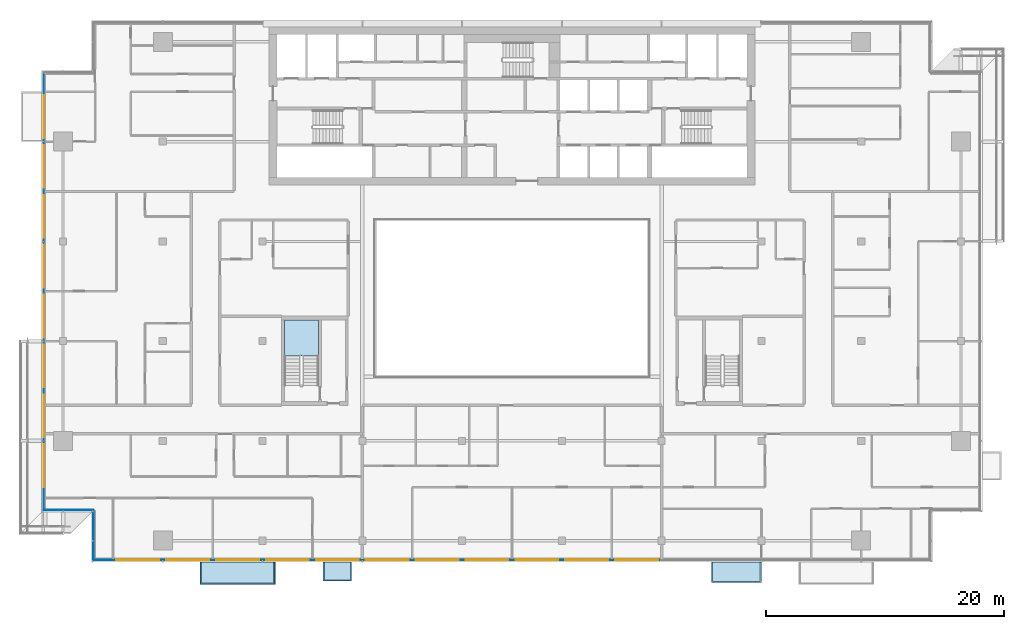
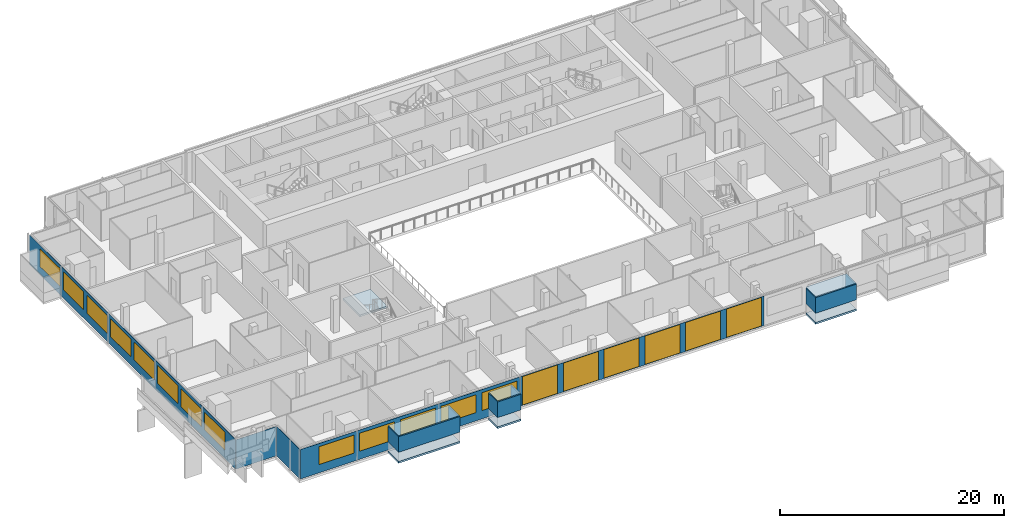
# One storey, part 15 of 30: 19 windows, 11 plates, 4 slabs, 19 openings, 5 elements without a shape of their own.
"""IFC4 building model written with IfcOpenShell, lengths in metres."""

from ifc_helpers import new_model, si_unit, direction, frame, frame_2d, origin, place, context, subcontext, project, spatial, polyline, rectangle, outline, extrude, material, layer, layer_set, type_object, element, fill, aggregate, save


model = new_model("IFC4")

# Units and contexts
model_context = context("Model", 3, precision=1e-05, world=origin(), true_north=direction((0.0, 1.0)))
body_context = subcontext(model_context, "Body", "Model", "MODEL_VIEW")
ifc_project = project(units=[si_unit("LENGTHUNIT", "METRE"), si_unit("AREAUNIT", "SQUARE_METRE"), si_unit("VOLUMEUNIT", "CUBIC_METRE"), si_unit("PLANEANGLEUNIT", "RADIAN"), si_unit("MASSUNIT", "GRAM", prefix="KILO")], contexts=[model_context])

# Site, building, storey
site_placement = place(None, origin())
site = spatial("IfcSite", under=ifc_project, at=site_placement, CompositionType="ELEMENT")
building_placement = place(site_placement, origin())
building = spatial("IfcBuilding", under=site, at=building_placement, Name="Saffron Gate Tower", CompositionType="ELEMENT")
storey_placement = place(building_placement, frame((0.0, 0.0, 223.5)))
storey = spatial("IfcBuildingStorey", under=building, at=storey_placement, Name="L54", CompositionType="ELEMENT", Elevation=223.5)

# Curtain wall, plates, openings, windows
ifc_material_1 = material(Name="Aluminium, bronze anodised", Category="aluminium")
curtain_wall_type_1 = type_object("IfcCurtainWallType", Name="CWS1 curtain wall front facade", PredefinedType="NOTDEFINED", material=ifc_material_1)
curtain_wall_1_placement = place(storey_placement, origin())
curtain_wall_1 = element("IfcCurtainWall", 1, at=curtain_wall_1_placement, inside=storey, type_object=curtain_wall_type_1, Name="CWS1 run 1", PredefinedType="NOTDEFINED")
ifc_material_2 = material(Name="Clear low-iron laminated glass", Category="glass")
ifc_layer_1 = layer(ifc_material_2, 0.028076171875)
ifc_layer_set_1 = layer_set([ifc_layer_1], Name="CWS1 clear glass")
plate_type_1 = type_object("IfcPlateType", Name="CWS1 clear glass", PredefinedType="CURTAIN_PANEL", material=ifc_layer_set_1)
plate_1_placement = place(storey_placement, frame((75.030029296875, 30.174072265625, 0.0), z_axis=(0.0, 0.0, 1.0), x_axis=(1.0, 0.0, 0.0)))
plate_1 = element("IfcPlate", 2, at=plate_1_placement, type_object=plate_type_1, Name="CWS1 clear glass panel", PredefinedType="CURTAIN_PANEL", context=body_context, shape_type="SweptSolid", body=[
    extrude(rectangle(XDim=25.139892578125, YDim=0.028076171875, at=frame_2d((12.56982421875, 0.0))), origin(), (0.0, 0.0, 1.0), 3.199951171875),
])
opening_1_placement = place(plate_1_placement, frame((0.27001953125, 0.0, 0.050048828125)))
opening_1 = element("IfcOpeningElement", 3, at=opening_1_placement, cuts=plate_1, Name="Opening WA", PredefinedType="OPENING", context=body_context, shape_type="SweptSolid", body=[
    extrude(rectangle(XDim=3.60009765625, YDim=3.10009765625, at=frame_2d((1.800048828125, 1.550048828125))), frame((0.0, 0.02392578125, 0.0), z_axis=(0.0, -1.0, 0.0), x_axis=(1.0, 0.0, 0.0)), (0.0, 0.0, 1.0), 0.048095703125),
])
opening_2_placement = place(plate_1_placement, frame((4.469970703125, 0.0, 0.050048828125)))
opening_2 = element("IfcOpeningElement", 4, at=opening_2_placement, cuts=plate_1, Name="Opening WA", PredefinedType="OPENING", context=body_context, shape_type="SweptSolid", body=[
    extrude(rectangle(XDim=3.60009765625, YDim=3.10009765625, at=frame_2d((1.800048828125, 1.550048828125))), frame((0.0, 0.02392578125, 0.0), z_axis=(0.0, -1.0, 0.0), x_axis=(1.0, 0.0, 0.0)), (0.0, 0.0, 1.0), 0.048095703125),
])
opening_3_placement = place(plate_1_placement, frame((8.669921875, 0.0, 0.050048828125)))
opening_3 = element("IfcOpeningElement", 5, at=opening_3_placement, cuts=plate_1, Name="Opening WA", PredefinedType="OPENING", context=body_context, shape_type="SweptSolid", body=[
    extrude(rectangle(XDim=3.60009765625, YDim=3.10009765625, at=frame_2d((1.800048828125, 1.550048828125))), frame((0.0, 0.02392578125, 0.0), z_axis=(0.0, -1.0, 0.0), x_axis=(1.0, 0.0, 0.0)), (0.0, 0.0, 1.0), 0.048095703125),
])
opening_4_placement = place(plate_1_placement, frame((12.8701171875, 0.0, 0.050048828125)))
opening_4 = element("IfcOpeningElement", 6, at=opening_4_placement, cuts=plate_1, Name="Opening WA", PredefinedType="OPENING", context=body_context, shape_type="SweptSolid", body=[
    extrude(rectangle(XDim=3.60009765625, YDim=3.10009765625, at=frame_2d((1.800048828125, 1.550048828125))), frame((0.0, 0.02392578125, 0.0), z_axis=(0.0, -1.0, 0.0), x_axis=(1.0, 0.0, 0.0)), (0.0, 0.0, 1.0), 0.048095703125),
])
opening_5_placement = place(plate_1_placement, frame((17.070068359375, 0.0, 0.050048828125)))
opening_5 = element("IfcOpeningElement", 7, at=opening_5_placement, cuts=plate_1, Name="Opening WA", PredefinedType="OPENING", context=body_context, shape_type="SweptSolid", body=[
    extrude(rectangle(XDim=3.60009765625, YDim=3.10009765625, at=frame_2d((1.800048828125, 1.550048828125))), frame((0.0, 0.02392578125, 0.0), z_axis=(0.0, -1.0, 0.0), x_axis=(1.0, 0.0, 0.0)), (0.0, 0.0, 1.0), 0.048095703125),
])
opening_6_placement = place(plate_1_placement, frame((21.27001953125, 0.0, 0.050048828125)))
opening_6 = element("IfcOpeningElement", 8, at=opening_6_placement, cuts=plate_1, Name="Opening WA", PredefinedType="OPENING", context=body_context, shape_type="SweptSolid", body=[
    extrude(rectangle(XDim=3.60009765625, YDim=3.10009765625, at=frame_2d((1.800048828125, 1.550048828125))), frame((0.0, 0.02392578125, 0.0), z_axis=(0.0, -1.0, 0.0), x_axis=(1.0, 0.0, 0.0)), (0.0, 0.0, 1.0), 0.048095703125),
])
ifc_material_3 = material(Name="Clear low-iron laminated glass in bronze frame", Category="glass")
ifc_layer_2 = layer(ifc_material_3, 0.06005859375)
ifc_layer_set_2 = layer_set([ifc_layer_2], Name="WA operable atrium unit 3600x3100")
window_type_1 = type_object("IfcWindowType", Name="WA operable atrium unit 3600x3100", PartitioningType="DOUBLE_PANEL_HORIZONTAL", PredefinedType="WINDOW", material=ifc_layer_set_2)
window_1_placement = place(opening_1_placement, origin())
window_1 = element("IfcWindow", 9, at=window_1_placement, type_object=window_type_1, Name="WA operable atrium unit", OverallHeight=3.10009765625, OverallWidth=3.60009765625, PartitioningType="SINGLE_PANEL", PredefinedType="WINDOW", context=body_context, shape_type="SweptSolid", body=[
    extrude(rectangle(XDim=3.60009765625, YDim=3.10009765625, at=frame_2d((1.800048828125, 1.550048828125))), frame((0.0, 0.013671875, 0.0), z_axis=(0.0, -1.0, 0.0), x_axis=(1.0, 0.0, 0.0)), (0.0, 0.0, 1.0), 0.027587890625),
])
fill(opening_1, window_1)
window_2_placement = place(opening_2_placement, origin())
window_2 = element("IfcWindow", 10, at=window_2_placement, type_object=window_type_1, Name="WA operable atrium unit", OverallHeight=3.10009765625, OverallWidth=3.60009765625, PartitioningType="SINGLE_PANEL", PredefinedType="WINDOW", context=body_context, shape_type="SweptSolid", body=[
    extrude(rectangle(XDim=3.60009765625, YDim=3.10009765625, at=frame_2d((1.800048828125, 1.550048828125))), frame((0.0, 0.013671875, 0.0), z_axis=(0.0, -1.0, 0.0), x_axis=(1.0, 0.0, 0.0)), (0.0, 0.0, 1.0), 0.027587890625),
])
fill(opening_2, window_2)
window_3_placement = place(opening_3_placement, origin())
window_3 = element("IfcWindow", 11, at=window_3_placement, type_object=window_type_1, Name="WA operable atrium unit", OverallHeight=3.10009765625, OverallWidth=3.60009765625, PartitioningType="SINGLE_PANEL", PredefinedType="WINDOW", context=body_context, shape_type="SweptSolid", body=[
    extrude(rectangle(XDim=3.60009765625, YDim=3.10009765625, at=frame_2d((1.800048828125, 1.550048828125))), frame((0.0, 0.013671875, 0.0), z_axis=(0.0, -1.0, 0.0), x_axis=(1.0, 0.0, 0.0)), (0.0, 0.0, 1.0), 0.027587890625),
])
fill(opening_3, window_3)
window_4_placement = place(opening_4_placement, origin())
window_4 = element("IfcWindow", 12, at=window_4_placement, type_object=window_type_1, Name="WA operable atrium unit", OverallHeight=3.10009765625, OverallWidth=3.60009765625, PartitioningType="SINGLE_PANEL", PredefinedType="WINDOW", context=body_context, shape_type="SweptSolid", body=[
    extrude(rectangle(XDim=3.60009765625, YDim=3.10009765625, at=frame_2d((1.800048828125, 1.550048828125))), frame((0.0, 0.013671875, 0.0), z_axis=(0.0, -1.0, 0.0), x_axis=(1.0, 0.0, 0.0)), (0.0, 0.0, 1.0), 0.027587890625),
])
fill(opening_4, window_4)
window_5_placement = place(opening_5_placement, origin())
window_5 = element("IfcWindow", 13, at=window_5_placement, type_object=window_type_1, Name="WA operable atrium unit", OverallHeight=3.10009765625, OverallWidth=3.60009765625, PartitioningType="SINGLE_PANEL", PredefinedType="WINDOW", context=body_context, shape_type="SweptSolid", body=[
    extrude(rectangle(XDim=3.60009765625, YDim=3.10009765625, at=frame_2d((1.800048828125, 1.550048828125))), frame((0.0, 0.013671875, 0.0), z_axis=(0.0, -1.0, 0.0), x_axis=(1.0, 0.0, 0.0)), (0.0, 0.0, 1.0), 0.027587890625),
])
fill(opening_5, window_5)
window_6_placement = place(opening_6_placement, origin())
window_6 = element("IfcWindow", 14, at=window_6_placement, type_object=window_type_1, Name="WA operable atrium unit", OverallHeight=3.10009765625, OverallWidth=3.60009765625, PartitioningType="SINGLE_PANEL", PredefinedType="WINDOW", context=body_context, shape_type="SweptSolid", body=[
    extrude(rectangle(XDim=3.60009765625, YDim=3.10009765625, at=frame_2d((1.800048828125, 1.550048828125))), frame((0.0, 0.013671875, 0.0), z_axis=(0.0, -1.0, 0.0), x_axis=(1.0, 0.0, 0.0)), (0.0, 0.0, 1.0), 0.027587890625),
])
fill(opening_6, window_6)
ifc_material_4 = material(Name="Fritted bronze-tinted laminated glass", Category="glass")
ifc_layer_3 = layer(ifc_material_4, 0.028076171875)
ifc_layer_set_3 = layer_set([ifc_layer_3], Name="CWS1 fixed glass")
plate_type_2 = type_object("IfcPlateType", Name="CWS1 fixed glass", PredefinedType="CURTAIN_PANEL", material=ifc_layer_set_3)
plate_2_placement = place(storey_placement, frame((52.387939453125, 30.174072265625, 0.0), z_axis=(0.0, 0.0, 1.0), x_axis=(1.0, 0.0, 0.0)))
plate_2 = element("IfcPlate", 15, at=plate_2_placement, type_object=plate_type_2, Name="CWS1 glass panel", PredefinedType="CURTAIN_PANEL", context=body_context, shape_type="SweptSolid", body=[
    extrude(rectangle(XDim=22.64208984375, YDim=0.028076171875, at=frame_2d((11.321044921875, 0.0))), origin(), (0.0, 0.0, 1.0), 3.199951171875),
])
opening_7_placement = place(plate_2_placement, frame((1.912109375, 0.0, 0.89990234375)))
opening_7 = element("IfcOpeningElement", 16, at=opening_7_placement, cuts=plate_2, Name="Opening W1", PredefinedType="OPENING", context=body_context, shape_type="SweptSolid", body=[
    extrude(rectangle(XDim=3.60009765625, YDim=1.949951171875, at=frame_2d((1.800048828125, 0.97509765625))), frame((0.0, 0.02392578125, 0.0), z_axis=(0.0, -1.0, 0.0), x_axis=(1.0, 0.0, 0.0)), (0.0, 0.0, 1.0), 0.048095703125),
])
opening_8_placement = place(plate_2_placement, frame((6.112060546875, 0.0, 0.89990234375)))
opening_8 = element("IfcOpeningElement", 17, at=opening_8_placement, cuts=plate_2, Name="Opening W1", PredefinedType="OPENING", context=body_context, shape_type="SweptSolid", body=[
    extrude(rectangle(XDim=3.60009765625, YDim=1.949951171875, at=frame_2d((1.800048828125, 0.97509765625))), frame((0.0, 0.02392578125, 0.0), z_axis=(0.0, -1.0, 0.0), x_axis=(1.0, 0.0, 0.0)), (0.0, 0.0, 1.0), 0.048095703125),
])
opening_9_placement = place(plate_2_placement, frame((10.31201171875, 0.0, 0.89990234375)))
opening_9 = element("IfcOpeningElement", 18, at=opening_9_placement, cuts=plate_2, Name="Opening W1", PredefinedType="OPENING", context=body_context, shape_type="SweptSolid", body=[
    extrude(rectangle(XDim=3.60009765625, YDim=1.949951171875, at=frame_2d((1.800048828125, 0.97509765625))), frame((0.0, 0.02392578125, 0.0), z_axis=(0.0, -1.0, 0.0), x_axis=(1.0, 0.0, 0.0)), (0.0, 0.0, 1.0), 0.048095703125),
])
opening_10_placement = place(plate_2_placement, frame((14.511962890625, 0.0, 0.89990234375)))
opening_10 = element("IfcOpeningElement", 19, at=opening_10_placement, cuts=plate_2, Name="Opening W1", PredefinedType="OPENING", context=body_context, shape_type="SweptSolid", body=[
    extrude(rectangle(XDim=3.60009765625, YDim=1.949951171875, at=frame_2d((1.800048828125, 0.97509765625))), frame((0.0, 0.02392578125, 0.0), z_axis=(0.0, -1.0, 0.0), x_axis=(1.0, 0.0, 0.0)), (0.0, 0.0, 1.0), 0.048095703125),
])
opening_11_placement = place(plate_2_placement, frame((18.7119140625, 0.0, 0.89990234375)))
opening_11 = element("IfcOpeningElement", 20, at=opening_11_placement, cuts=plate_2, Name="Opening W1", PredefinedType="OPENING", context=body_context, shape_type="SweptSolid", body=[
    extrude(rectangle(XDim=3.60009765625, YDim=1.949951171875, at=frame_2d((1.800048828125, 0.97509765625))), frame((0.0, 0.02392578125, 0.0), z_axis=(0.0, -1.0, 0.0), x_axis=(1.0, 0.0, 0.0)), (0.0, 0.0, 1.0), 0.048095703125),
])
ifc_material_5 = material(Name="Fritted bronze-tinted laminated glass in bronze frame", Category="glass")
ifc_layer_4 = layer(ifc_material_5, 0.06005859375)
ifc_layer_set_4 = layer_set([ifc_layer_4], Name="W1 operable panel 3600x1950")
window_type_2 = type_object("IfcWindowType", Name="W1 operable panel 3600x1950", PartitioningType="DOUBLE_PANEL_HORIZONTAL", PredefinedType="WINDOW", material=ifc_layer_set_4)
window_7_placement = place(opening_7_placement, origin())
window_7 = element("IfcWindow", 21, at=window_7_placement, type_object=window_type_2, Name="W1 operable panel", OverallHeight=1.949951171875, OverallWidth=3.60009765625, PartitioningType="SINGLE_PANEL", PredefinedType="WINDOW", context=body_context, shape_type="SweptSolid", body=[
    extrude(rectangle(XDim=3.60009765625, YDim=1.949951171875, at=frame_2d((1.800048828125, 0.97509765625))), frame((0.0, 0.013671875, 0.0), z_axis=(0.0, -1.0, 0.0), x_axis=(1.0, 0.0, 0.0)), (0.0, 0.0, 1.0), 0.027587890625),
])
fill(opening_7, window_7)
window_8_placement = place(opening_8_placement, origin())
window_8 = element("IfcWindow", 22, at=window_8_placement, type_object=window_type_2, Name="W1 operable panel", OverallHeight=1.949951171875, OverallWidth=3.60009765625, PartitioningType="SINGLE_PANEL", PredefinedType="WINDOW", context=body_context, shape_type="SweptSolid", body=[
    extrude(rectangle(XDim=3.60009765625, YDim=1.949951171875, at=frame_2d((1.800048828125, 0.97509765625))), frame((0.0, 0.013671875, 0.0), z_axis=(0.0, -1.0, 0.0), x_axis=(1.0, 0.0, 0.0)), (0.0, 0.0, 1.0), 0.027587890625),
])
fill(opening_8, window_8)
window_9_placement = place(opening_9_placement, origin())
window_9 = element("IfcWindow", 23, at=window_9_placement, type_object=window_type_2, Name="W1 operable panel", OverallHeight=1.949951171875, OverallWidth=3.60009765625, PartitioningType="SINGLE_PANEL", PredefinedType="WINDOW", context=body_context, shape_type="SweptSolid", body=[
    extrude(rectangle(XDim=3.60009765625, YDim=1.949951171875, at=frame_2d((1.800048828125, 0.97509765625))), frame((0.0, 0.013671875, 0.0), z_axis=(0.0, -1.0, 0.0), x_axis=(1.0, 0.0, 0.0)), (0.0, 0.0, 1.0), 0.027587890625),
])
fill(opening_9, window_9)
window_10_placement = place(opening_10_placement, origin())
window_10 = element("IfcWindow", 24, at=window_10_placement, type_object=window_type_2, Name="W1 operable panel", OverallHeight=1.949951171875, OverallWidth=3.60009765625, PartitioningType="SINGLE_PANEL", PredefinedType="WINDOW", context=body_context, shape_type="SweptSolid", body=[
    extrude(rectangle(XDim=3.60009765625, YDim=1.949951171875, at=frame_2d((1.800048828125, 0.97509765625))), frame((0.0, 0.013671875, 0.0), z_axis=(0.0, -1.0, 0.0), x_axis=(1.0, 0.0, 0.0)), (0.0, 0.0, 1.0), 0.027587890625),
])
fill(opening_10, window_10)
window_11_placement = place(opening_11_placement, origin())
window_11 = element("IfcWindow", 25, at=window_11_placement, type_object=window_type_2, Name="W1 operable panel", OverallHeight=1.949951171875, OverallWidth=3.60009765625, PartitioningType="SINGLE_PANEL", PredefinedType="WINDOW", context=body_context, shape_type="SweptSolid", body=[
    extrude(rectangle(XDim=3.60009765625, YDim=1.949951171875, at=frame_2d((1.800048828125, 0.97509765625))), frame((0.0, 0.013671875, 0.0), z_axis=(0.0, -1.0, 0.0), x_axis=(1.0, 0.0, 0.0)), (0.0, 0.0, 1.0), 0.027587890625),
])
fill(opening_11, window_11)
aggregate(curtain_wall_1, [plate_2, plate_1, window_7, window_8, window_9, window_10, window_11, window_1, window_2, window_3, window_4, window_5, window_6])

# Curtain wall, plate, openings, windows
curtain_wall_type_2 = type_object("IfcCurtainWallType", Name="CWS2 curtain wall side facades", PredefinedType="NOTDEFINED", material=ifc_material_1)
curtain_wall_2_placement = place(storey_placement, origin())
curtain_wall_2 = element("IfcCurtainWall", 26, at=curtain_wall_2_placement, inside=storey, type_object=curtain_wall_type_2, Name="CWS2 run 10", PredefinedType="NOTDEFINED")
ifc_layer_5 = layer(ifc_material_4, 0.028076171875)
ifc_layer_set_5 = layer_set([ifc_layer_5], Name="CWS2 fixed glass")
plate_type_3 = type_object("IfcPlateType", Name="CWS2 fixed glass", PredefinedType="CURTAIN_PANEL", material=ifc_layer_set_5)
plate_3_placement = place(storey_placement, frame((48.174072265625, 71.2119140625, 0.0), z_axis=(0.0, 0.0, 1.0), x_axis=(0.0, -1.0, 0.0)))
plate_3 = element("IfcPlate", 27, at=plate_3_placement, type_object=plate_type_3, Name="CWS2 glass panel", PredefinedType="CURTAIN_PANEL", context=body_context, shape_type="SweptSolid", body=[
    extrude(rectangle(XDim=36.823974609375, YDim=0.028076171875, at=frame_2d((18.412109375, 0.0))), origin(), (0.0, 0.0, 1.0), 3.199951171875),
])
opening_12_placement = place(plate_3_placement, frame((1.912109375, 0.0, 0.89990234375)))
opening_12 = element("IfcOpeningElement", 28, at=opening_12_placement, cuts=plate_3, Name="Opening W1", PredefinedType="OPENING", context=body_context, shape_type="SweptSolid", body=[
    extrude(rectangle(XDim=3.60009765625, YDim=1.949951171875, at=frame_2d((1.800048828125, 0.97509765625))), frame((0.0, 0.02392578125, 0.0), z_axis=(0.0, -1.0, 0.0), x_axis=(1.0, 0.0, 0.0)), (0.0, 0.0, 1.0), 0.048095703125),
])
opening_13_placement = place(plate_3_placement, frame((6.112060546875, 0.0, 0.89990234375)))
opening_13 = element("IfcOpeningElement", 29, at=opening_13_placement, cuts=plate_3, Name="Opening W1", PredefinedType="OPENING", context=body_context, shape_type="SweptSolid", body=[
    extrude(rectangle(XDim=3.60009765625, YDim=1.949951171875, at=frame_2d((1.800048828125, 0.97509765625))), frame((0.0, 0.02392578125, 0.0), z_axis=(0.0, -1.0, 0.0), x_axis=(1.0, 0.0, 0.0)), (0.0, 0.0, 1.0), 0.048095703125),
])
opening_14_placement = place(plate_3_placement, frame((10.31201171875, 0.0, 0.89990234375)))
opening_14 = element("IfcOpeningElement", 30, at=opening_14_placement, cuts=plate_3, Name="Opening W1", PredefinedType="OPENING", context=body_context, shape_type="SweptSolid", body=[
    extrude(rectangle(XDim=3.60009765625, YDim=1.949951171875, at=frame_2d((1.800048828125, 0.97509765625))), frame((0.0, 0.02392578125, 0.0), z_axis=(0.0, -1.0, 0.0), x_axis=(1.0, 0.0, 0.0)), (0.0, 0.0, 1.0), 0.048095703125),
])
opening_15_placement = place(plate_3_placement, frame((14.511962890625, 0.0, 0.89990234375)))
opening_15 = element("IfcOpeningElement", 31, at=opening_15_placement, cuts=plate_3, Name="Opening W1", PredefinedType="OPENING", context=body_context, shape_type="SweptSolid", body=[
    extrude(rectangle(XDim=3.60009765625, YDim=1.949951171875, at=frame_2d((1.800048828125, 0.97509765625))), frame((0.0, 0.02392578125, 0.0), z_axis=(0.0, -1.0, 0.0), x_axis=(1.0, 0.0, 0.0)), (0.0, 0.0, 1.0), 0.048095703125),
])
opening_16_placement = place(plate_3_placement, frame((18.7119140625, 0.0, 0.89990234375)))
opening_16 = element("IfcOpeningElement", 32, at=opening_16_placement, cuts=plate_3, Name="Opening W1", PredefinedType="OPENING", context=body_context, shape_type="SweptSolid", body=[
    extrude(rectangle(XDim=3.60009765625, YDim=1.949951171875, at=frame_2d((1.800048828125, 0.97509765625))), frame((0.0, 0.02392578125, 0.0), z_axis=(0.0, -1.0, 0.0), x_axis=(1.0, 0.0, 0.0)), (0.0, 0.0, 1.0), 0.048095703125),
])
opening_17_placement = place(plate_3_placement, frame((22.912109375, 0.0, 0.89990234375)))
opening_17 = element("IfcOpeningElement", 33, at=opening_17_placement, cuts=plate_3, Name="Opening W1", PredefinedType="OPENING", context=body_context, shape_type="SweptSolid", body=[
    extrude(rectangle(XDim=3.60009765625, YDim=1.949951171875, at=frame_2d((1.800048828125, 0.97509765625))), frame((0.0, 0.02392578125, 0.0), z_axis=(0.0, -1.0, 0.0), x_axis=(1.0, 0.0, 0.0)), (0.0, 0.0, 1.0), 0.048095703125),
])
opening_18_placement = place(plate_3_placement, frame((27.112060546875, 0.0, 0.89990234375)))
opening_18 = element("IfcOpeningElement", 34, at=opening_18_placement, cuts=plate_3, Name="Opening W1", PredefinedType="OPENING", context=body_context, shape_type="SweptSolid", body=[
    extrude(rectangle(XDim=3.60009765625, YDim=1.949951171875, at=frame_2d((1.800048828125, 0.97509765625))), frame((0.0, 0.02392578125, 0.0), z_axis=(0.0, -1.0, 0.0), x_axis=(1.0, 0.0, 0.0)), (0.0, 0.0, 1.0), 0.048095703125),
])
opening_19_placement = place(plate_3_placement, frame((31.31201171875, 0.0, 0.89990234375)))
opening_19 = element("IfcOpeningElement", 35, at=opening_19_placement, cuts=plate_3, Name="Opening W1", PredefinedType="OPENING", context=body_context, shape_type="SweptSolid", body=[
    extrude(rectangle(XDim=3.60009765625, YDim=1.949951171875, at=frame_2d((1.800048828125, 0.97509765625))), frame((0.0, 0.02392578125, 0.0), z_axis=(0.0, -1.0, 0.0), x_axis=(1.0, 0.0, 0.0)), (0.0, 0.0, 1.0), 0.048095703125),
])
window_12_placement = place(opening_12_placement, origin())
window_12 = element("IfcWindow", 36, at=window_12_placement, type_object=window_type_2, Name="W1 operable panel", OverallHeight=1.949951171875, OverallWidth=3.60009765625, PartitioningType="SINGLE_PANEL", PredefinedType="WINDOW", context=body_context, shape_type="SweptSolid", body=[
    extrude(rectangle(XDim=3.60009765625, YDim=1.949951171875, at=frame_2d((1.800048828125, 0.97509765625))), frame((0.0, 0.013671875, 0.0), z_axis=(0.0, -1.0, 0.0), x_axis=(1.0, 0.0, 0.0)), (0.0, 0.0, 1.0), 0.027587890625),
])
fill(opening_12, window_12)
window_13_placement = place(opening_13_placement, origin())
window_13 = element("IfcWindow", 37, at=window_13_placement, type_object=window_type_2, Name="W1 operable panel", OverallHeight=1.949951171875, OverallWidth=3.60009765625, PartitioningType="SINGLE_PANEL", PredefinedType="WINDOW", context=body_context, shape_type="SweptSolid", body=[
    extrude(rectangle(XDim=3.60009765625, YDim=1.949951171875, at=frame_2d((1.800048828125, 0.97509765625))), frame((0.0, 0.013671875, 0.0), z_axis=(0.0, -1.0, 0.0), x_axis=(1.0, 0.0, 0.0)), (0.0, 0.0, 1.0), 0.027587890625),
])
fill(opening_13, window_13)
window_14_placement = place(opening_14_placement, origin())
window_14 = element("IfcWindow", 38, at=window_14_placement, type_object=window_type_2, Name="W1 operable panel", OverallHeight=1.949951171875, OverallWidth=3.60009765625, PartitioningType="SINGLE_PANEL", PredefinedType="WINDOW", context=body_context, shape_type="SweptSolid", body=[
    extrude(rectangle(XDim=3.60009765625, YDim=1.949951171875, at=frame_2d((1.800048828125, 0.97509765625))), frame((0.0, 0.013671875, 0.0), z_axis=(0.0, -1.0, 0.0), x_axis=(1.0, 0.0, 0.0)), (0.0, 0.0, 1.0), 0.027587890625),
])
fill(opening_14, window_14)
window_15_placement = place(opening_15_placement, origin())
window_15 = element("IfcWindow", 39, at=window_15_placement, type_object=window_type_2, Name="W1 operable panel", OverallHeight=1.949951171875, OverallWidth=3.60009765625, PartitioningType="SINGLE_PANEL", PredefinedType="WINDOW", context=body_context, shape_type="SweptSolid", body=[
    extrude(rectangle(XDim=3.60009765625, YDim=1.949951171875, at=frame_2d((1.800048828125, 0.97509765625))), frame((0.0, 0.013671875, 0.0), z_axis=(0.0, -1.0, 0.0), x_axis=(1.0, 0.0, 0.0)), (0.0, 0.0, 1.0), 0.027587890625),
])
fill(opening_15, window_15)
window_16_placement = place(opening_16_placement, origin())
window_16 = element("IfcWindow", 40, at=window_16_placement, type_object=window_type_2, Name="W1 operable panel", OverallHeight=1.949951171875, OverallWidth=3.60009765625, PartitioningType="SINGLE_PANEL", PredefinedType="WINDOW", context=body_context, shape_type="SweptSolid", body=[
    extrude(rectangle(XDim=3.60009765625, YDim=1.949951171875, at=frame_2d((1.800048828125, 0.97509765625))), frame((0.0, 0.013671875, 0.0), z_axis=(0.0, -1.0, 0.0), x_axis=(1.0, 0.0, 0.0)), (0.0, 0.0, 1.0), 0.027587890625),
])
fill(opening_16, window_16)
window_17_placement = place(opening_17_placement, origin())
window_17 = element("IfcWindow", 41, at=window_17_placement, type_object=window_type_2, Name="W1 operable panel", OverallHeight=1.949951171875, OverallWidth=3.60009765625, PartitioningType="SINGLE_PANEL", PredefinedType="WINDOW", context=body_context, shape_type="SweptSolid", body=[
    extrude(rectangle(XDim=3.60009765625, YDim=1.949951171875, at=frame_2d((1.800048828125, 0.97509765625))), frame((0.0, 0.013671875, 0.0), z_axis=(0.0, -1.0, 0.0), x_axis=(1.0, 0.0, 0.0)), (0.0, 0.0, 1.0), 0.027587890625),
])
fill(opening_17, window_17)
window_18_placement = place(opening_18_placement, origin())
window_18 = element("IfcWindow", 42, at=window_18_placement, type_object=window_type_2, Name="W1 operable panel", OverallHeight=1.949951171875, OverallWidth=3.60009765625, PartitioningType="SINGLE_PANEL", PredefinedType="WINDOW", context=body_context, shape_type="SweptSolid", body=[
    extrude(rectangle(XDim=3.60009765625, YDim=1.949951171875, at=frame_2d((1.800048828125, 0.97509765625))), frame((0.0, 0.013671875, 0.0), z_axis=(0.0, -1.0, 0.0), x_axis=(1.0, 0.0, 0.0)), (0.0, 0.0, 1.0), 0.027587890625),
])
fill(opening_18, window_18)
window_19_placement = place(opening_19_placement, origin())
window_19 = element("IfcWindow", 43, at=window_19_placement, type_object=window_type_2, Name="W1 operable panel", OverallHeight=1.949951171875, OverallWidth=3.60009765625, PartitioningType="SINGLE_PANEL", PredefinedType="WINDOW", context=body_context, shape_type="SweptSolid", body=[
    extrude(rectangle(XDim=3.60009765625, YDim=1.949951171875, at=frame_2d((1.800048828125, 0.97509765625))), frame((0.0, 0.013671875, 0.0), z_axis=(0.0, -1.0, 0.0), x_axis=(1.0, 0.0, 0.0)), (0.0, 0.0, 1.0), 0.027587890625),
])
fill(opening_19, window_19)
aggregate(curtain_wall_2, [plate_3, window_12, window_13, window_14, window_15, window_16, window_17, window_18, window_19])

# Curtain wall, plate
curtain_wall_type_3 = type_object("IfcCurtainWallType", Name="CWS4 curtain wall corner returns", PredefinedType="NOTDEFINED", material=ifc_material_1)
curtain_wall_3_placement = place(storey_placement, origin())
curtain_wall_3 = element("IfcCurtainWall", 44, at=curtain_wall_3_placement, inside=storey, type_object=curtain_wall_type_3, Name="CWS4 run 11", PredefinedType="NOTDEFINED")
ifc_layer_6 = layer(ifc_material_4, 0.028076171875)
ifc_layer_set_6 = layer_set([ifc_layer_6], Name="CWS4 fixed glass")
plate_type_4 = type_object("IfcPlateType", Name="CWS4 fixed glass", PredefinedType="CURTAIN_PANEL", material=ifc_layer_set_6)
plate_4_placement = place(storey_placement, frame((48.18798828125, 34.3740234375, 0.0), z_axis=(0.0, 0.0, 1.0), x_axis=(1.0, 0.0, 0.0)))
plate_4 = element("IfcPlate", 45, at=plate_4_placement, type_object=plate_type_4, Name="CWS4 glass panel", PredefinedType="CURTAIN_PANEL", context=body_context, shape_type="SweptSolid", body=[
    extrude(rectangle(XDim=4.172119140625, YDim=0.028076171875, at=frame_2d((2.0859375, 0.0))), origin(), (0.0, 0.0, 1.0), 3.199951171875),
])
aggregate(curtain_wall_3, [plate_4])

curtain_wall_4_placement = place(storey_placement, origin())
curtain_wall_4 = element("IfcCurtainWall", 46, at=curtain_wall_4_placement, inside=storey, type_object=curtain_wall_type_3, Name="CWS4 run 12", PredefinedType="NOTDEFINED")
plate_5_placement = place(storey_placement, frame((52.3740234375, 34.360107421875, 0.0), z_axis=(0.0, 0.0, 1.0), x_axis=(0.0, -1.0, 0.0)))
plate_5 = element("IfcPlate", 47, at=plate_5_placement, type_object=plate_type_4, Name="CWS4 glass panel", PredefinedType="CURTAIN_PANEL", context=body_context, shape_type="SweptSolid", body=[
    extrude(rectangle(XDim=4.172119140625, YDim=0.028076171875, at=frame_2d((2.0859375, 0.0))), origin(), (0.0, 0.0, 1.0), 3.199951171875),
])
aggregate(curtain_wall_4, [plate_5])

# Stair, slab
ifc_material_6 = material(Name="Concrete C40", Category="concrete")
stair_type = type_object("IfcStairType", Name="ST7 Stair 1350 wide, 20 risers of 180", PredefinedType="HALF_TURN_STAIR", material=ifc_material_6)
stair_placement = place(storey_placement, origin())
stair = element("IfcStair", 48, at=stair_placement, inside=storey, type_object=stair_type, Name="L54 Exit stair D", PredefinedType="HALF_TURN_STAIR")
ifc_layer_7 = layer(ifc_material_6, 0.199951171875)
ifc_layer_set_7 = layer_set([ifc_layer_7], Name="SL1 Stair landing 200")
slab_type_1 = type_object("IfcSlabType", Name="SL1 Stair landing 200", PredefinedType="LANDING", material=ifc_layer_set_7)
slab_1_placement = place(storey_placement, frame((0.0, 0.0, 1.60009765625)))
slab_1 = element("IfcSlab", 49, at=slab_1_placement, type_object=slab_type_1, Name="ST-D landing 1", PredefinedType="LANDING", context=body_context, shape_type="SweptSolid", body=[
    extrude(outline(polyline([(71.300048828125, 47.3701171875), (71.300048828125, 50.39990234375), (68.449951171875, 50.39990234375), (68.449951171875, 47.3701171875), (71.300048828125, 47.3701171875)])), origin(), (0.0, 0.0, 1.0), 0.199951171875),
])
aggregate(stair, [slab_1])

# Slabs
ifc_material_7 = material(Name="Timber deck on bronze frame", Category="wood")
ifc_layer_8 = layer(ifc_material_7, 0.199951171875)
ifc_layer_set_8 = layer_set([ifc_layer_8], Name="WB1 box floor")
slab_type_2 = type_object("IfcSlabType", Name="WB1 box floor", PredefinedType="FLOOR", material=ifc_layer_set_8)
slab_2_placement = place(storey_placement, frame((0.0, 0.0, -0.199951171875)))
element("IfcSlab", 50, at=slab_2_placement, inside=storey, type_object=slab_type_2, Name="WINDOW BOX floor", PredefinedType="FLOOR", context=body_context, shape_type="SweptSolid", body=[
    extrude(outline(polyline([(61.35009765625, 30.0), (67.64990234375, 30.0), (67.64990234375, 28.133056640625), (61.35009765625, 28.133056640625), (61.35009765625, 30.0)])), origin(), (0.0, 0.0, 1.0), 0.199951171875),
])
slab_3_placement = place(storey_placement, frame((0.0, 0.0, -0.199951171875)))
element("IfcSlab", 51, at=slab_3_placement, inside=storey, type_object=slab_type_2, Name="WINDOW BOX floor", PredefinedType="FLOOR", context=body_context, shape_type="SweptSolid", body=[
    extrude(outline(polyline([(71.699951171875, 30.0), (74.10009765625, 30.0), (74.10009765625, 28.39990234375), (71.699951171875, 28.39990234375), (71.699951171875, 30.0)])), origin(), (0.0, 0.0, 1.0), 0.199951171875),
])
slab_4_placement = place(storey_placement, frame((0.0, 0.0, -0.199951171875)))
element("IfcSlab", 52, at=slab_4_placement, inside=storey, type_object=slab_type_2, Name="WINDOW BOX floor", PredefinedType="FLOOR", context=body_context, shape_type="SweptSolid", body=[
    extrude(outline(polyline([(104.39990234375, 30.0), (108.60009765625, 30.0), (108.60009765625, 28.26708984375), (104.39990234375, 28.26708984375), (104.39990234375, 30.0)])), origin(), (0.0, 0.0, 1.0), 0.199951171875),
])

# Plates
ifc_layer_9 = layer(ifc_material_1, 0.1201171875)
ifc_layer_set_9 = layer_set([ifc_layer_9], Name="WB2 box roof")
plate_type_5 = type_object("IfcPlateType", Name="WB2 box roof", PredefinedType="SHEET", material=ifc_layer_set_9)
plate_6_placement = place(storey_placement, frame((0.0, 0.0, 2.699951171875)))
element("IfcPlate", 53, at=plate_6_placement, inside=storey, type_object=plate_type_5, Name="WINDOW BOX roof", PredefinedType="SHEET", context=body_context, shape_type="SweptSolid", body=[
    extrude(outline(polyline([(61.35009765625, 30.0), (67.64990234375, 30.0), (67.64990234375, 28.133056640625), (61.35009765625, 28.133056640625), (61.35009765625, 30.0)])), origin(), (0.0, 0.0, 1.0), 0.1201171875),
])
plate_7_placement = place(storey_placement, frame((0.0, 0.0, 2.699951171875)))
element("IfcPlate", 54, at=plate_7_placement, inside=storey, type_object=plate_type_5, Name="WINDOW BOX roof", PredefinedType="SHEET", context=body_context, shape_type="SweptSolid", body=[
    extrude(outline(polyline([(71.699951171875, 30.0), (74.10009765625, 30.0), (74.10009765625, 28.39990234375), (71.699951171875, 28.39990234375), (71.699951171875, 30.0)])), origin(), (0.0, 0.0, 1.0), 0.1201171875),
])
plate_8_placement = place(storey_placement, frame((0.0, 0.0, 2.699951171875)))
element("IfcPlate", 55, at=plate_8_placement, inside=storey, type_object=plate_type_5, Name="WINDOW BOX roof", PredefinedType="SHEET", context=body_context, shape_type="SweptSolid", body=[
    extrude(outline(polyline([(104.39990234375, 30.0), (108.60009765625, 30.0), (108.60009765625, 28.26708984375), (104.39990234375, 28.26708984375), (104.39990234375, 30.0)])), origin(), (0.0, 0.0, 1.0), 0.1201171875),
])
ifc_layer_10 = layer(ifc_material_2, 0.10009765625)
ifc_layer_set_10 = layer_set([ifc_layer_10], Name="WB6 box glazing")
plate_type_6 = type_object("IfcPlateType", Name="WB6 box glazing", PredefinedType="SHEET", material=ifc_layer_set_10)
plate_9_placement = place(storey_placement, frame((0.0, 0.0, 1.0)))
element("IfcPlate", 56, at=plate_9_placement, inside=storey, type_object=plate_type_6, Name="WINDOW BOX glazing", PredefinedType="SHEET", context=body_context, shape_type="SweptSolid", body=[
    extrude(outline(polyline([(61.35009765625, 30.0), (61.449951171875, 30.0), (61.449951171875, 28.23291015625), (67.550048828125, 28.23291015625), (67.550048828125, 30.0), (67.64990234375, 30.0), (67.64990234375, 28.133056640625), (61.35009765625, 28.133056640625), (61.35009765625, 30.0)])), origin(), (0.0, 0.0, 1.0), 1.699951171875),
])
plate_10_placement = place(storey_placement, frame((0.0, 0.0, 1.0)))
element("IfcPlate", 57, at=plate_10_placement, inside=storey, type_object=plate_type_6, Name="WINDOW BOX glazing", PredefinedType="SHEET", context=body_context, shape_type="SweptSolid", body=[
    extrude(outline(polyline([(71.699951171875, 30.0), (71.800048828125, 30.0), (71.800048828125, 28.5), (74.0, 28.5), (74.0, 30.0), (74.10009765625, 30.0), (74.10009765625, 28.39990234375), (71.699951171875, 28.39990234375), (71.699951171875, 30.0)])), origin(), (0.0, 0.0, 1.0), 1.699951171875),
])
plate_11_placement = place(storey_placement, frame((0.0, 0.0, 1.0)))
element("IfcPlate", 58, at=plate_11_placement, inside=storey, type_object=plate_type_6, Name="WINDOW BOX glazing", PredefinedType="SHEET", context=body_context, shape_type="SweptSolid", body=[
    extrude(outline(polyline([(104.39990234375, 30.0), (104.5, 30.0), (104.5, 28.366943359375), (108.5, 28.366943359375), (108.5, 30.0), (108.60009765625, 30.0), (108.60009765625, 28.26708984375), (104.39990234375, 28.26708984375), (104.39990234375, 30.0)])), origin(), (0.0, 0.0, 1.0), 1.699951171875),
])

save(model, "model.ifc")
